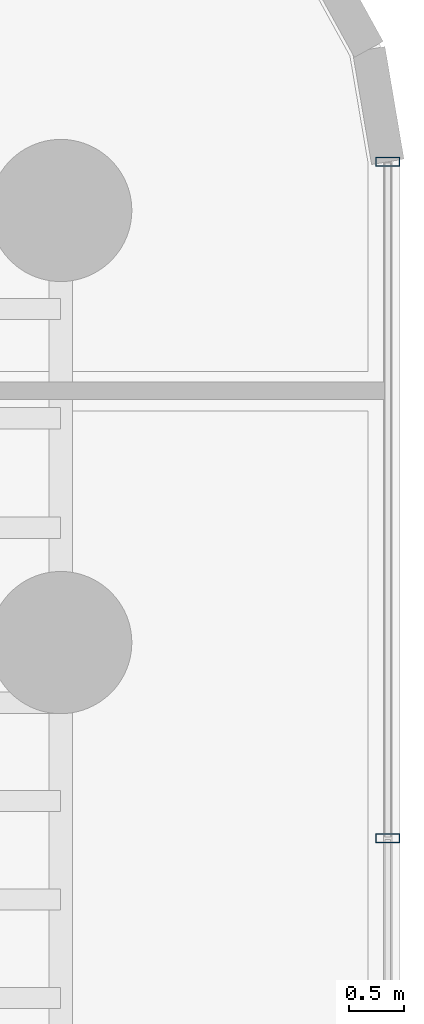
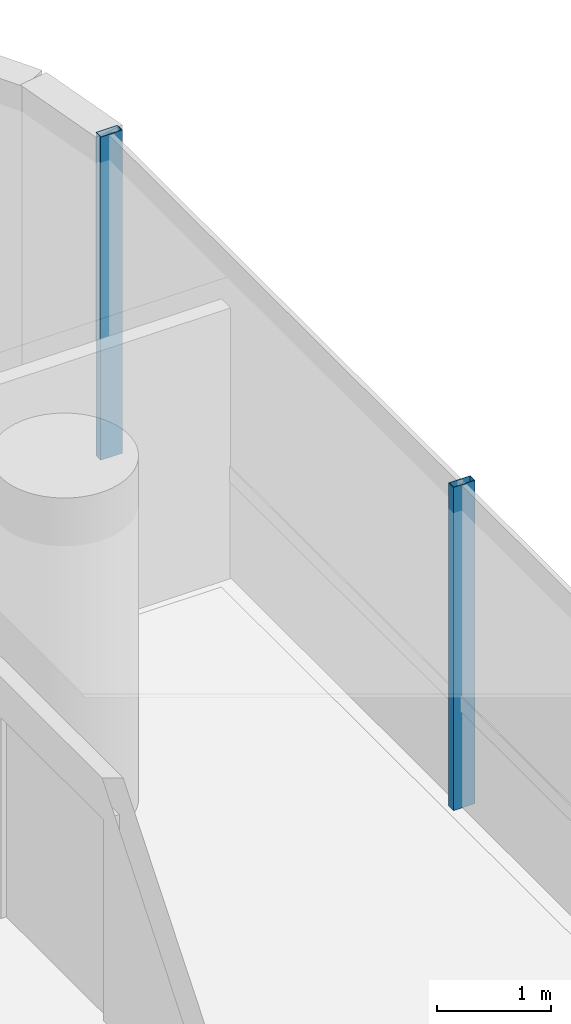
# One storey, part 27 of 41: 2 members, 1 element without a shape of its own.
"""IFC4 building model written with IfcOpenShell, lengths in metres."""

from ifc_helpers import new_model, si_unit, direction, frame, origin, origin_2d, place, context, subcontext, project, spatial, hollow_rectangle, extrude, source, transform, mapped, material, material_profile, profile_set, type_object, element, aggregate, save


model = new_model("IFC4")

# Units and contexts
model_context = context("Model", 3, precision=1e-05, world=origin(), true_north=direction((0.0, 1.0)))
body_context = subcontext(model_context, "Body", "Model", "MODEL_VIEW")
ifc_project = project(units=[si_unit("LENGTHUNIT", "METRE"), si_unit("AREAUNIT", "SQUARE_METRE"), si_unit("VOLUMEUNIT", "CUBIC_METRE"), si_unit("PLANEANGLEUNIT", "RADIAN"), si_unit("MASSUNIT", "GRAM", prefix="KILO")], contexts=[model_context])

# Site, building, storey
site_placement = place(None, origin())
site = spatial("IfcSite", under=ifc_project, at=site_placement, CompositionType="ELEMENT")
building_placement = place(site_placement, origin())
building = spatial("IfcBuilding", under=site, at=building_placement, Name="Valdorenza Pilgrim Sanctuary Tower", CompositionType="ELEMENT")
storey_placement = place(building_placement, frame((0.0, 0.0, 59.300048828125)))
storey = spatial("IfcBuildingStorey", under=building, at=storey_placement, Name="L14", CompositionType="ELEMENT", Elevation=59.300048828125)

# Curtain wall, members
ifc_material_1 = material(Name="Curtain-wall IGU glazing", Category="glass")
curtain_wall_type = type_object("IfcCurtainWallType", Name="CW-SYS-03", PredefinedType="NOTDEFINED", material=ifc_material_1)
curtain_wall_placement = place(storey_placement, origin())
curtain_wall = element("IfcCurtainWall", 1, at=curtain_wall_placement, inside=storey, type_object=curtain_wall_type, Name="L14 Curtain Wall CW-L14-1-21", PredefinedType="NOTDEFINED")
ifc_material_2 = material(Name="Anodised aluminium AW-6060", Category="aluminium")
ifc_material_profile = material_profile(ifc_material_2, hollow_rectangle(XDim=0.0849609375, YDim=0.219970703125, WallThickness=0.0048828125, at=origin_2d()), Name="ALU-M 220x85x5")
ifc_profile_set = profile_set([ifc_material_profile], Name="Anodised aluminium AW-6060")
member_type = type_object("IfcMemberType", Name="CW-MUL-03", PredefinedType="MULLION", material=ifc_profile_set)
shared_shape = source(origin(), body_context, "Body", "SweptSolid", [
    extrude(hollow_rectangle(XDim=0.0849609375, YDim=0.219970703125, WallThickness=0.0048828125, at=origin_2d()), origin(), (0.0, 0.0, 1.0), 3.4599609375),
])
member_1_placement = place(storey_placement, frame((31.389892578125, 13.945068359375, 0.0), z_axis=(0.0, 0.0, 1.0), x_axis=(0.0, -1.0, 0.0)))
member_1 = element("IfcMember", 2, at=member_1_placement, type_object=member_type, Name="CW-L14-1-21 Mullion 1", PredefinedType="MULLION", context=body_context, shape_type="MappedRepresentation", body=[
    mapped(shared_shape, transform((0.0, 0.0, 0.0), x_axis=(1.0, 0.0, 0.0), y_axis=(0.0, 1.0, 0.0), z_axis=(0.0, 0.0, 1.0), scale=1.0)),
])
member_2_placement = place(storey_placement, frame((31.389892578125, 7.761474609375, 0.0), z_axis=(0.0, 0.0, 1.0), x_axis=(0.0, -1.0, 0.0)))
member_2 = element("IfcMember", 3, at=member_2_placement, type_object=member_type, Name="CW-L14-1-21 Mullion 2", PredefinedType="MULLION", context=body_context, shape_type="MappedRepresentation", body=[
    mapped(shared_shape, transform((0.0, 0.0, 0.0), x_axis=(1.0, 0.0, 0.0), y_axis=(0.0, 1.0, 0.0), z_axis=(0.0, 0.0, 1.0), scale=1.0)),
])
aggregate(curtain_wall, [member_1, member_2])

save(model, "model.ifc")
